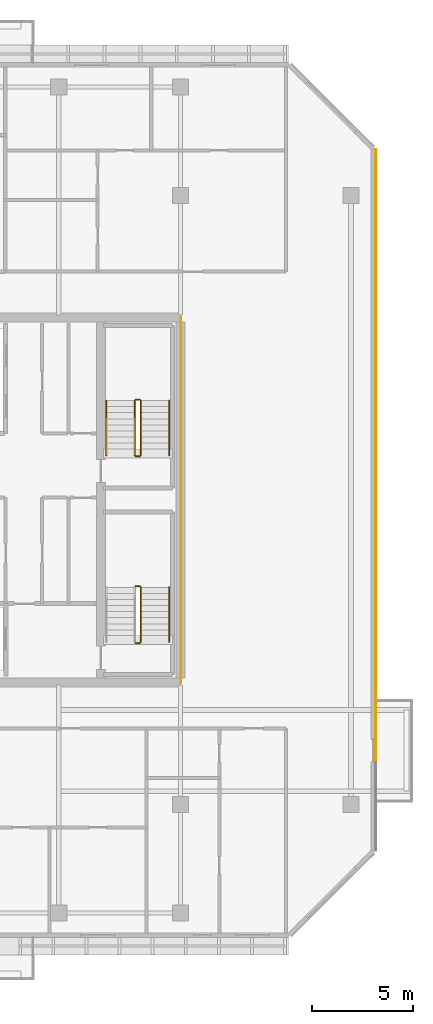
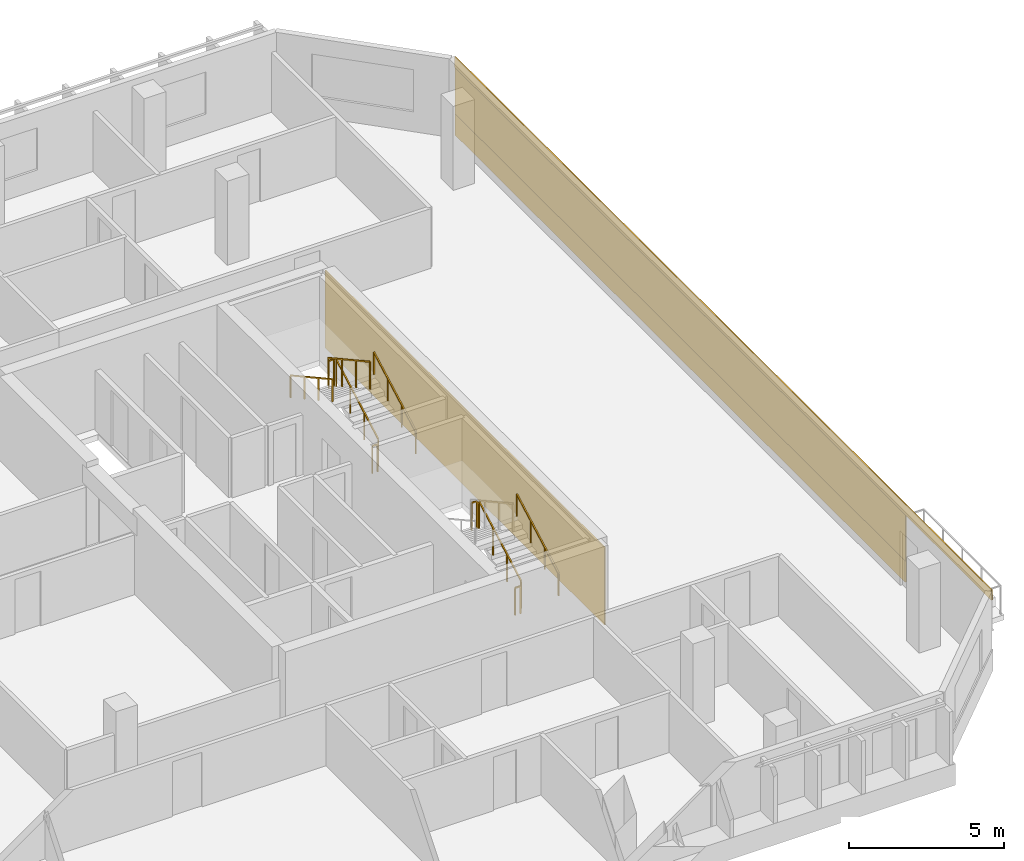
# One storey, part 21 of 22: 10 railings, 4 coverings.
"""IFC4 building model written with IfcOpenShell, lengths in metres."""

from ifc_helpers import new_model, si_unit, direction, frame, origin, origin_2d, place, context, subcontext, project, spatial, rectangle, extrude, material, layer, layer_set, type_object, element, save


model = new_model("IFC4")

# Units and contexts
model_context = context("Model", 3, precision=1e-05, world=origin(), true_north=direction((0.0, 1.0)))
body_context = subcontext(model_context, "Body", "Model", "MODEL_VIEW")
ifc_project = project(units=[si_unit("LENGTHUNIT", "METRE"), si_unit("AREAUNIT", "SQUARE_METRE"), si_unit("VOLUMEUNIT", "CUBIC_METRE"), si_unit("PLANEANGLEUNIT", "RADIAN"), si_unit("MASSUNIT", "GRAM", prefix="KILO")], contexts=[model_context])

# Site, building, storey
site_placement = place(None, origin())
site = spatial("IfcSite", under=ifc_project, at=site_placement, CompositionType="ELEMENT")
building_placement = place(site_placement, origin())
building = spatial("IfcBuilding", under=site, at=building_placement, Name="Tanjung Sevakor Pilgrim Tower", CompositionType="ELEMENT")
storey_placement = place(building_placement, frame((0.0, 0.0, 195.030029296875)))
storey = spatial("IfcBuildingStorey", under=building, at=storey_placement, Name="L54", CompositionType="ELEMENT", Elevation=195.030029296875)

# Coverings
ifc_material_1 = material(Name="Reconstructed Limestone Cladding", Category="masonry")
ifc_layer = layer(ifc_material_1, 0.044921875)
ifc_layer_set = layer_set([ifc_layer], Name="COV-CLAD-LIMESTONE")
covering_type = type_object("IfcCoveringType", Name="COV-CLAD-LIMESTONE", PredefinedType="CLADDING", material=ifc_layer_set)
covering_1_placement = place(storey_placement, frame((99.62255859375, 36.3623046875, 0.009765625), z_axis=(0.0, 0.0, 1.0), x_axis=(0.0, 1.0, 0.0)))
element("IfcCovering", 1, at=covering_1_placement, inside=storey, type_object=covering_type, Name="L54 Warm Limestone Sill Spandrel EW-L54-MAIN-7-2", PredefinedType="CLADDING", context=body_context, shape_type="SweptSolid", body=[
    extrude(rectangle(XDim=29.00439453125, YDim=0.044921875, at=origin_2d()), origin(), (0.0, 0.0, 1.0), 0.840087890625),
])
covering_2_placement = place(storey_placement, frame((99.62255859375, 33.60009765625, 2.66015625), z_axis=(0.0, 0.0, 1.0), x_axis=(0.0, 1.0, 0.0)))
element("IfcCovering", 2, at=covering_2_placement, inside=storey, type_object=covering_type, Name="L54 Warm Limestone Cornice Spandrel EW-L54-MAIN-7", PredefinedType="CLADDING", context=body_context, shape_type="SweptSolid", body=[
    extrude(rectangle(XDim=34.56884765625, YDim=0.044921875, at=origin_2d()), origin(), (0.0, 0.0, 1.0), 0.409912109375),
])
covering_3_placement = place(storey_placement, frame((99.62255859375, 36.357177734375, 0.849853515625), z_axis=(0.0, 0.0, 1.0), x_axis=(0.0, 1.0, 0.0)))
element("IfcCovering", 3, at=covering_3_placement, inside=storey, type_object=covering_type, Name="L54 Warm Limestone Pier Panel EW-L54-MAIN-7-2", PredefinedType="CLADDING", context=body_context, shape_type="SweptSolid", body=[
    extrude(rectangle(XDim=29.014404296875, YDim=0.044921875, at=origin_2d()), origin(), (0.0, 0.0, 1.0), 1.81005859375),
])
covering_4_placement = place(storey_placement, frame((90.0224609375, 33.60009765625, 0.02001953125), z_axis=(0.0, 0.0, 1.0), x_axis=(1.0, 0.0, 0.0)))
element("IfcCovering", 4, at=covering_4_placement, inside=storey, type_object=covering_type, Name="L54 Expressed Core Warm Limestone Cladding E", PredefinedType="CLADDING", context=body_context, shape_type="SweptSolid", body=[
    extrude(rectangle(XDim=0.044921875, YDim=18.0, at=origin_2d()), origin(), (0.0, 0.0, 1.0), 3.0400390625),
])

# Railings
ifc_material_2 = material(Name="Steel S355J2", Category="steel")
railing_type_1 = type_object("IfcRailingType", Name="RL-STAIR-GUARD", PredefinedType="GUARDRAIL", material=ifc_material_2)
railing_1_placement = place(storey_placement, frame((88.050048828125, 26.60009765625, 0.1650390625)))
element("IfcRailing", 5, at=railing_1_placement, inside=storey, type_object=railing_type_1, Name="L54 TS-E1 stair guard 1", PredefinedType="GUARDRAIL", context=body_context, shape_type="SweptSolid", body=[
    extrude(rectangle(XDim=0.0479, YDim=0.0479), frame((0.0, 0.0, 1.076171875), z_axis=(0.0, 0.876230963923, 0.481891375584), x_axis=(-1.0, 0.0, 0.0)), (0.0, 0.0, 1.0), 3.081298828125),
    extrude(rectangle(XDim=0.042, YDim=0.042), origin(), (0.0, 0.0, 1.0), 1.052001953125),
    extrude(rectangle(XDim=0.042, YDim=0.042), frame((0.0, 0.89990234375, 0.494873046875)), (0.0, 0.0, 1.0), 1.052001953125),
    extrude(rectangle(XDim=0.042, YDim=0.042), frame((0.0, 1.800048828125, 0.989990234375)), (0.0, 0.0, 1.0), 1.052001953125),
    extrude(rectangle(XDim=0.042, YDim=0.042), frame((0.0, 2.699951171875, 1.48486328125)), (0.0, 0.0, 1.0), 1.052001953125),
])
for number, where, name in (
    (6, (88.0, 29.35009765625, 1.64990234375), "L54 TS-E1 stair guard 2"),
    (7, (88.0, 26.550048828125, 0.0), "L54 TS-E1 stair guard 4"),
):
    element("IfcRailing", number, at=place(storey_placement, frame(where)), inside=storey, type_object=railing_type_1, Name=name, PredefinedType="GUARDRAIL", context=body_context, shape_type="SweptSolid", body=[
        extrude(rectangle(XDim=0.0479, YDim=0.0479), frame((0.0, 0.0, 1.076171875), z_axis=(-1.0, 0.0, 0.0), x_axis=(0.0, -1.0, 0.0)), (0.0, 0.0, 1.0), 0.199951171875),
        extrude(rectangle(XDim=0.042, YDim=0.042), origin(), (0.0, 0.0, 1.0), 1.052001953125),
        extrude(rectangle(XDim=0.042, YDim=0.042), frame((-0.199951171875, 0.0, 0.0)), (0.0, 0.0, 1.0), 1.052001953125),
    ])
railing_2_placement = place(storey_placement, frame((88.050048828125, 35.800048828125, 0.1650390625)))
element("IfcRailing", 8, at=railing_2_placement, inside=storey, type_object=railing_type_1, Name="L54 TS-E2 stair guard 1", PredefinedType="GUARDRAIL", context=body_context, shape_type="SweptSolid", body=[
    extrude(rectangle(XDim=0.0479, YDim=0.0479), frame((0.0, 0.0, 1.076171875), z_axis=(0.0, 0.876230963923, 0.481891375584), x_axis=(-1.0, 0.0, 0.0)), (0.0, 0.0, 1.0), 3.081298828125),
    extrude(rectangle(XDim=0.042, YDim=0.042), origin(), (0.0, 0.0, 1.0), 1.052001953125),
    extrude(rectangle(XDim=0.042, YDim=0.042), frame((0.0, 0.89990234375, 0.494873046875)), (0.0, 0.0, 1.0), 1.052001953125),
    extrude(rectangle(XDim=0.042, YDim=0.042), frame((0.0, 1.800048828125, 0.989990234375)), (0.0, 0.0, 1.0), 1.052001953125),
    extrude(rectangle(XDim=0.042, YDim=0.042), frame((0.0, 2.699951171875, 1.48486328125)), (0.0, 0.0, 1.0), 1.052001953125),
])
railing_3_placement = place(storey_placement, frame((88.0, 38.550048828125, 1.64990234375)))
element("IfcRailing", 9, at=railing_3_placement, inside=storey, type_object=railing_type_1, Name="L54 TS-E2 stair guard 2", PredefinedType="GUARDRAIL", context=body_context, shape_type="SweptSolid", body=[
    extrude(rectangle(XDim=0.0479, YDim=0.0479), frame((0.0, 0.0, 1.076171875), z_axis=(-1.0, 0.0, 0.0), x_axis=(0.0, -1.0, 0.0)), (0.0, 0.0, 1.0), 0.199951171875),
    extrude(rectangle(XDim=0.042, YDim=0.042), origin(), (0.0, 0.0, 1.0), 1.052001953125),
    extrude(rectangle(XDim=0.042, YDim=0.042), frame((-0.199951171875, 0.0, 0.0)), (0.0, 0.0, 1.0), 1.052001953125),
])
railing_4_placement = place(storey_placement, frame((87.75, 38.5, 1.81494140625)))
element("IfcRailing", 10, at=railing_4_placement, inside=storey, type_object=railing_type_1, Name="L54 TS-E2 stair guard 3", PredefinedType="GUARDRAIL", context=body_context, shape_type="SweptSolid", body=[
    extrude(rectangle(XDim=0.0479, YDim=0.0479), frame((0.0, 0.0, 1.076171875), z_axis=(0.0, -0.876197507361, 0.481952205197), x_axis=(1.0, 0.0, 0.0)), (0.0, 0.0, 1.0), 3.08154296875),
    extrude(rectangle(XDim=0.042, YDim=0.042), origin(), (0.0, 0.0, 1.0), 1.052001953125),
    extrude(rectangle(XDim=0.042, YDim=0.042), frame((0.0, -0.89990234375, 0.4951171875)), (0.0, 0.0, 1.0), 1.052001953125),
    extrude(rectangle(XDim=0.042, YDim=0.042), frame((0.0, -1.800048828125, 0.989990234375)), (0.0, 0.0, 1.0), 1.052001953125),
    extrude(rectangle(XDim=0.042, YDim=0.042), frame((0.0, -2.699951171875, 1.485107421875)), (0.0, 0.0, 1.0), 1.052001953125),
])
railing_5_placement = place(storey_placement, frame((88.0, 35.75, 0.0)))
element("IfcRailing", 11, at=railing_5_placement, inside=storey, type_object=railing_type_1, Name="L54 TS-E2 stair guard 4", PredefinedType="GUARDRAIL", context=body_context, shape_type="SweptSolid", body=[
    extrude(rectangle(XDim=0.0479, YDim=0.0479), frame((0.0, 0.0, 1.076171875), z_axis=(-1.0, 0.0, 0.0), x_axis=(0.0, -1.0, 0.0)), (0.0, 0.0, 1.0), 0.199951171875),
    extrude(rectangle(XDim=0.042, YDim=0.042), origin(), (0.0, 0.0, 1.0), 1.052001953125),
    extrude(rectangle(XDim=0.042, YDim=0.042), frame((-0.199951171875, 0.0, 0.0)), (0.0, 0.0, 1.0), 1.052001953125),
])
ifc_material_3 = material(Name="Steel S355J2", Category="steel")
railing_type_2 = type_object("IfcRailingType", Name="RL-STAIR-HAND", PredefinedType="HANDRAIL", material=ifc_material_3)
for number, where, name in (
    (12, (89.449951171875, 26.60009765625, 0.1650390625), "L54 TS-E1 stair handrail 1"),
    (13, (89.449951171875, 35.800048828125, 0.1650390625), "L54 TS-E2 stair handrail 1"),
):
    element("IfcRailing", number, at=place(storey_placement, frame(where)), inside=storey, type_object=railing_type_2, Name=name, PredefinedType="HANDRAIL", context=body_context, shape_type="SweptSolid", body=[
        extrude(rectangle(XDim=0.0479, YDim=0.0479), frame((0.0, 0.0, 0.8759765625), z_axis=(0.0, 0.876230963923, 0.481891375584), x_axis=(-1.0, 0.0, 0.0)), (0.0, 0.0, 1.0), 3.081298828125),
        extrude(rectangle(XDim=0.042, YDim=0.042), origin(), (0.0, 0.0, 1.0), 0.851806640625),
        extrude(rectangle(XDim=0.042, YDim=0.042), frame((0.0, 0.89990234375, 0.494873046875)), (0.0, 0.0, 1.0), 0.851806640625),
        extrude(rectangle(XDim=0.042, YDim=0.042), frame((0.0, 1.800048828125, 0.989990234375)), (0.0, 0.0, 1.0), 0.851806640625),
        extrude(rectangle(XDim=0.042, YDim=0.042), frame((0.0, 2.699951171875, 1.48486328125)), (0.0, 0.0, 1.0), 0.851806640625),
    ])
railing_6_placement = place(storey_placement, frame((86.35009765625, 38.5, 1.81494140625)))
element("IfcRailing", 14, at=railing_6_placement, inside=storey, type_object=railing_type_2, Name="L54 TS-E2 stair handrail 2", PredefinedType="HANDRAIL", context=body_context, shape_type="SweptSolid", body=[
    extrude(rectangle(XDim=0.0479, YDim=0.0479), frame((0.0, 0.0, 0.8759765625), z_axis=(0.0, -0.876197507361, 0.481952205197), x_axis=(1.0, 0.0, 0.0)), (0.0, 0.0, 1.0), 3.08154296875),
    extrude(rectangle(XDim=0.042, YDim=0.042), origin(), (0.0, 0.0, 1.0), 0.851806640625),
    extrude(rectangle(XDim=0.042, YDim=0.042), frame((0.0, -0.89990234375, 0.4951171875)), (0.0, 0.0, 1.0), 0.851806640625),
    extrude(rectangle(XDim=0.042, YDim=0.042), frame((0.0, -1.800048828125, 0.989990234375)), (0.0, 0.0, 1.0), 0.851806640625),
    extrude(rectangle(XDim=0.042, YDim=0.042), frame((0.0, -2.699951171875, 1.485107421875)), (0.0, 0.0, 1.0), 0.851806640625),
])

save(model, "model.ifc")
